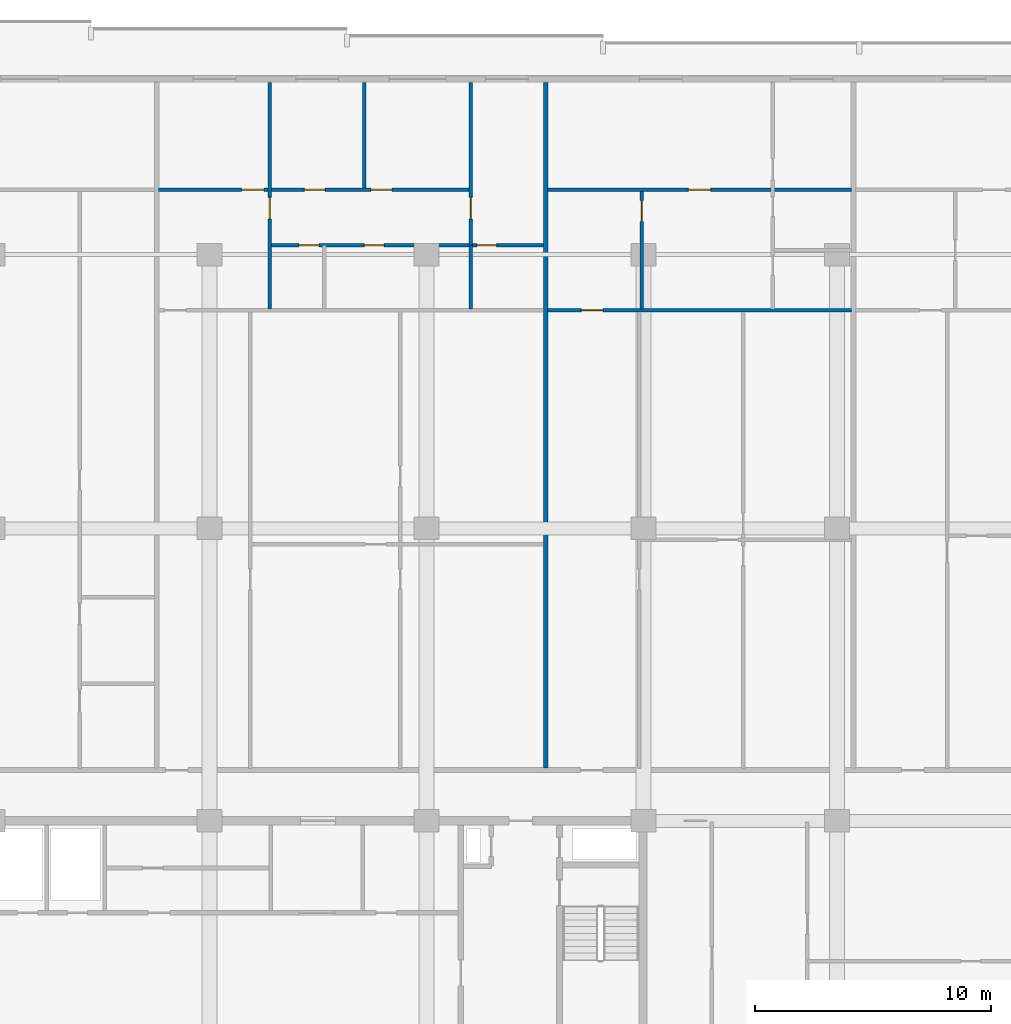
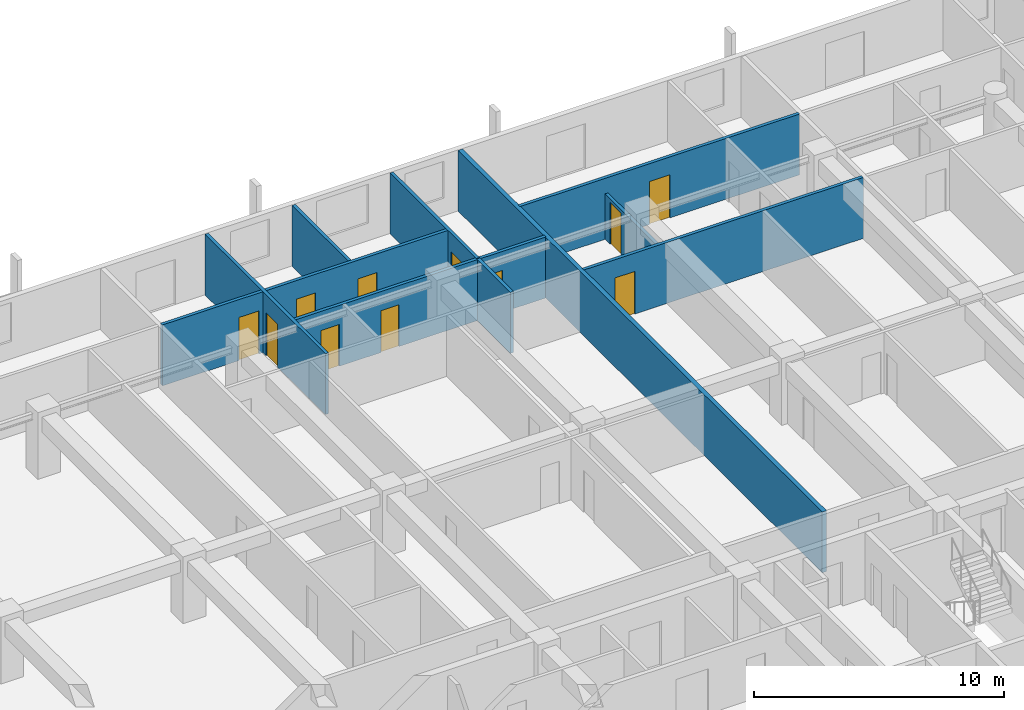
# One storey, part 15 of 23: 11 doors, 10 walls, 11 openings.
"""IFC4 building model written with IfcOpenShell, lengths in metres."""

import ifcopenshell
import ifcopenshell.guid

model = None  # the IFC model being written
_history = None  # IfcOwnerHistory: only IFC2X3 demands one
_inside = {}  # id of a spatial element -> (the spatial element, [elements in it])
_under = {}  # id of a project, library or spatial element -> (it, [spatial elements below it])
_declared = {}  # id of a project -> (the project, [libraries it declares])
_typed = {}  # id of a type object -> (the type object, [elements of that type])
_made_of = {}  # id of a material, layer set ... -> (it, [elements and type objects made of it])


def new_model(schema):
    """Start an empty IFC model of exactly this schema.

    Asked for "IFC4X3", IfcOpenShell would pick the latest addendum, in which some entities
    have other attributes; the version numbers below select the first issue.
    IFC2X3 requires an IfcOwnerHistory on every rooted entity: one is made here for all.
    """
    global model, _history
    if schema == "IFC4X3":
        model = ifcopenshell.file(schema_version=(4, 3, 0, 0))
    else:
        model = ifcopenshell.file(schema=schema)
    _inside.clear()
    _under.clear()
    _declared.clear()
    _typed.clear()
    _made_of.clear()
    _history = None
    if model.schema == "IFC2X3":
        org = make("IfcOrganization", Name="unknown")
        user = make(
            "IfcPersonAndOrganization",
            ThePerson=make("IfcPerson", FamilyName="unknown"),
            TheOrganization=org,
        )
        app = make(
            "IfcApplication",
            ApplicationDeveloper=org,
            Version="unknown",
            ApplicationFullName="unknown",
            ApplicationIdentifier="unknown",
        )
        _history = make(
            "IfcOwnerHistory",
            OwningUser=user,
            OwningApplication=app,
            ChangeAction="ADDED",
            CreationDate=0,
        )
    return model


def make(cls, **values):
    """One entity of the class cls with the attributes given. An attribute that is None is left unset."""
    return model.create_entity(
        cls, **{name: value for name, value in values.items() if value is not None}
    )


def rooted(cls, **values):
    """An entity with a GlobalId (a new one), such as an element, a storey or a relation."""
    return make(cls, GlobalId=ifcopenshell.guid.new(), OwnerHistory=_history, **values)


def si_unit(unit_type, name, prefix=None):
    """IfcSIUnit, for example si_unit("LENGTHUNIT", "METRE", prefix="MILLI")."""
    return make("IfcSIUnit", UnitType=unit_type, Prefix=prefix, Name=name)


def assignment(units):
    """IfcUnitAssignment: the units of a project."""
    return None if units is None else make("IfcUnitAssignment", Units=units)


def point(xyz):
    """IfcCartesianPoint."""
    return None if xyz is None else make("IfcCartesianPoint", Coordinates=xyz)


def direction(xyz):
    """IfcDirection."""
    return None if xyz is None else make("IfcDirection", DirectionRatios=xyz)


def frame(location, z_axis=None, x_axis=None):
    """IfcAxis2Placement3D, a coordinate frame: its origin and axes. An axis left out is left unset."""
    return make(
        "IfcAxis2Placement3D",
        Location=point(location),
        Axis=direction(z_axis),
        RefDirection=direction(x_axis),
    )


def frame_2d(location, x_axis=None):
    """IfcAxis2Placement2D, a coordinate frame in the plane: its origin and x axis."""
    return make(
        "IfcAxis2Placement2D", Location=point(location), RefDirection=direction(x_axis)
    )


def origin():
    """The frame at (0, 0, 0) with its axes left unset."""
    return frame((0.0, 0.0, 0.0))


def place(relative_to, where):
    """IfcLocalPlacement: puts the frame where relative to a parent placement (None: the world)."""
    return make(
        "IfcLocalPlacement", PlacementRelTo=relative_to, RelativePlacement=where
    )


def context(
    kind, dimensions, precision=None, world=None, true_north=None, identifier=None
):
    """IfcGeometricRepresentationContext, for example the 3D "Model" context."""
    return make(
        "IfcGeometricRepresentationContext",
        ContextIdentifier=identifier,
        ContextType=kind,
        CoordinateSpaceDimension=dimensions,
        Precision=precision,
        WorldCoordinateSystem=world,
        TrueNorth=true_north,
    )


def subcontext(parent, identifier, kind, view, scale=None):
    """IfcGeometricRepresentationSubContext, for example "Body" below "Model"."""
    return make(
        "IfcGeometricRepresentationSubContext",
        ContextIdentifier=identifier,
        ContextType=kind,
        ParentContext=parent,
        TargetScale=scale,
        TargetView=view,
    )


def project(units=None, contexts=None):
    """IfcProject with its units and contexts."""
    return rooted(
        "IfcProject",
        Name="project",
        RepresentationContexts=contexts,
        UnitsInContext=assignment(units),
    )


def spatial(cls, under=None, at=None, **own):
    """A site, building, storey or space (cls), placed at a placement, below another one or the project."""
    s = rooted(cls, ObjectPlacement=at, **own)
    if under is not None:
        _under.setdefault(under.id(), (under, []))[1].append(s)
    return s


def profile(cls, at=None, kind="AREA", **sizes):
    """A parametric profile (cls). Its sizes go by their IFC names, for example OverallWidth=200.0."""
    return make(cls, ProfileType=kind, Position=at, **sizes)


def rectangle(**sizes):
    """IfcRectangleProfileDef."""
    return profile("IfcRectangleProfileDef", **sizes)


def extrude(swept, where, along, depth):
    """IfcExtrudedAreaSolid: the profile swept, set in the frame where, extruded along a direction by depth."""
    return make(
        "IfcExtrudedAreaSolid",
        SweptArea=swept,
        Position=where,
        ExtrudedDirection=direction(along),
        Depth=depth,
    )


def shape(context_of_items, identifier, shape_type, items):
    """IfcShapeRepresentation: the items that make up one representation, for example the "Body"."""
    return make(
        "IfcShapeRepresentation",
        ContextOfItems=context_of_items,
        RepresentationIdentifier=identifier,
        RepresentationType=shape_type,
        Items=items,
    )


def material(Name=None, Category=None):
    """IfcMaterial."""
    return make("IfcMaterial", Name=Name, Category=Category)


def layer(
    of_material, thickness, ventilated=None, Name=None, Category=None, Priority=None
):
    """IfcMaterialLayer: one layer of a wall or slab, of a material (None: an air gap)."""
    return make(
        "IfcMaterialLayer",
        Material=of_material,
        LayerThickness=thickness,
        IsVentilated=ventilated,
        Name=Name,
        Category=Category,
        Priority=Priority,
    )


def layer_set(layers, Name=None):
    """IfcMaterialLayerSet."""
    return make("IfcMaterialLayerSet", MaterialLayers=layers, LayerSetName=Name)


def made_of(thing, what):
    """Note that an element or type object is made of a material, layer set ...; save() writes the relation."""
    if what is not None:
        _made_of.setdefault(what.id(), (what, []))[1].append(thing)
    return thing


def type_object(cls, material=None, **own):
    """A type object (cls), such as IfcWallType, which elements share."""
    return made_of(rooted(cls, **own), material)


def element(
    cls,
    number,
    at=None,
    inside=None,
    cuts=None,
    type_object=None,
    material=None,
    context=None,
    identifier="Body",
    shape_type=None,
    held_by="IfcProductDefinitionShape",
    body=None,
    shapes=None,
    **own,
):
    """One element of the class cls, such as IfcWall. Its Tag is "e" and its number.

    at: its placement. inside: the storey or other place that contains it. cuts: it is an
    opening in that element (IfcRelVoidsElement). A single representation is given by context,
    identifier, shape_type and body (its items); several are given by shapes. held_by: the class
    of the entity that holds the representations. save() writes the other relations.
    """
    e = rooted(cls, Tag="e%d" % number, ObjectPlacement=at, **own)
    if body is not None:
        shapes = [shape(context, identifier, shape_type, body)]
    if shapes is not None:
        e.Representation = make(held_by, Representations=shapes)
    if inside is not None:
        _inside.setdefault(inside.id(), (inside, []))[1].append(e)
    if cuts is not None:
        rooted(
            "IfcRelVoidsElement", RelatingBuildingElement=cuts, RelatedOpeningElement=e
        )
    if type_object is not None:
        _typed.setdefault(type_object.id(), (type_object, []))[1].append(e)
    return made_of(e, material)


def fill(opening, filler):
    """IfcRelFillsElement: the door or window that sits in an opening."""
    return rooted(
        "IfcRelFillsElement",
        RelatingOpeningElement=opening,
        RelatedBuildingElement=filler,
    )


def aggregate(whole, parts):
    """IfcRelAggregates: a whole, such as a stair, and the parts it consists of."""
    return rooted("IfcRelAggregates", RelatingObject=whole, RelatedObjects=parts)


def save(model, path):
    """Write the relations noted so far, then the file.

    IfcRelAggregates (storeys below a building ...), IfcRelContainedInSpatialStructure (elements
    in a storey), IfcRelDefinesByType, IfcRelAssociatesMaterial and IfcRelDeclares: one each for
    every whole, place, type object, material and project.
    """
    for whole, parts in _under.values():
        aggregate(whole, parts)
    for where, things in _inside.values():
        rooted(
            "IfcRelContainedInSpatialStructure",
            RelatedElements=things,
            RelatingStructure=where,
        )
    for kind, things in _typed.values():
        rooted("IfcRelDefinesByType", RelatedObjects=things, RelatingType=kind)
    for what, things in _made_of.values():
        rooted("IfcRelAssociatesMaterial", RelatedObjects=things, RelatingMaterial=what)
    for by, libraries in _declared.values():
        rooted("IfcRelDeclares", RelatingContext=by, RelatedDefinitions=libraries)
    model.write(path)


model = new_model("IFC4")

# Units and contexts
model_context = context("Model", 3, precision=1e-05, world=origin(), true_north=direction((0.0, 1.0)))
body_context = subcontext(model_context, "Body", "Model", "MODEL_VIEW")
ifc_project = project(units=[si_unit("LENGTHUNIT", "METRE"), si_unit("AREAUNIT", "SQUARE_METRE"), si_unit("VOLUMEUNIT", "CUBIC_METRE"), si_unit("PLANEANGLEUNIT", "RADIAN"), si_unit("MASSUNIT", "GRAM", prefix="KILO")], contexts=[model_context])

# Site, building, storey
site_placement = place(None, origin())
site = spatial("IfcSite", under=ifc_project, at=site_placement, CompositionType="ELEMENT")
building_placement = place(site_placement, origin())
building = spatial("IfcBuilding", under=site, at=building_placement, Name="Korimba Cascade Residences", CompositionType="ELEMENT")
storey_placement = place(building_placement, frame((0.0, 0.0, 72.75)))
storey = spatial("IfcBuildingStorey", under=building, at=storey_placement, Name="L20", CompositionType="ELEMENT", Elevation=72.75)

# Walls
ifc_material_1 = material(Name="Precast concrete C40/50", Category="concrete")
ifc_layer_1 = layer(ifc_material_1, 0.199951171875)
ifc_layer_set_1 = layer_set([ifc_layer_1], Name="Precast concrete C40/50")
wall_type_1 = type_object("IfcWallType", Name="WAL-IT-200", PredefinedType="PARTITIONING", material=ifc_layer_set_1)
wall_1_placement = place(storey_placement, frame((107.94873046875, 69.429931640625, 0.0), z_axis=(0.0, 0.0, 1.0), x_axis=(0.0, 1.0, 0.0)))
element("IfcWall", 1, at=wall_1_placement, inside=storey, type_object=wall_type_1, Name="L20 Partition Wall WAL-L20-T1-DEM-3", PredefinedType="PARTITIONING", context=body_context, shape_type="SweptSolid", body=[
    extrude(rectangle(XDim=29.070068359375, YDim=0.199951171875, at=frame_2d((14.53515625, 0.0))), origin(), (0.0, 0.0, 1.0), 2.969970703125),
])
ifc_material_2 = material(Name="Insulated Acoustic Stud Partition", Category="gypsum")
ifc_layer_2 = layer(ifc_material_2, 0.14990234375)
ifc_layer_set_2 = layer_set([ifc_layer_2], Name="Insulated Acoustic Stud Partition")
wall_type_2 = type_object("IfcWallType", Name="WAL-PART-150", PredefinedType="PARTITIONING", material=ifc_layer_set_2)
wall_2_placement = place(storey_placement, frame((100.265380859375, 94.030029296875, 0.0), z_axis=(0.0, 0.0, 1.0), x_axis=(0.0, 1.0, 0.0)))
element("IfcWall", 2, at=wall_2_placement, inside=storey, type_object=wall_type_2, Name="L20 Partition Wall WAL-L20-T1-U03-VSTD", PredefinedType="PARTITIONING", context=body_context, shape_type="SweptSolid", body=[
    extrude(rectangle(XDim=4.469970703125, YDim=0.14990234375, at=frame_2d((2.23486328125, 0.0))), origin(), (0.0, 0.0, 1.0), 2.969970703125),
])

# Wall, opening, door
wall_3_placement = place(storey_placement, frame((96.2509765625, 88.889892578125, 0.0), z_axis=(0.0, 0.0, 1.0), x_axis=(0.0, 1.0, 0.0)))
wall_3 = element("IfcWall", 3, at=wall_3_placement, inside=storey, type_object=wall_type_2, Name="L20 Partition Wall WAL-L20-T1-U03-V1", PredefinedType="PARTITIONING", context=body_context, shape_type="SweptSolid", body=[
    extrude(rectangle(XDim=9.610107421875, YDim=0.14990234375, at=frame_2d((4.80517578125, 0.0))), origin(), (0.0, 0.0, 1.0), 2.969970703125),
])
opening_1_placement = place(wall_3_placement, frame((3.820068359375, 0.0, 0.0)))
opening_1 = element("IfcOpeningElement", 4, at=opening_1_placement, cuts=wall_3, Name="Opening D-IN1", PredefinedType="OPENING", context=body_context, shape_type="SweptSolid", body=[
    extrude(rectangle(XDim=0.919921875, YDim=2.080078125, at=frame_2d((0.4599609375, 1.0400390625))), frame((0.0, 0.0849609375, 0.0), z_axis=(0.0, -1.0, 0.0), x_axis=(1.0, 0.0, 0.0)), (0.0, 0.0, 1.0), 0.169921875),
])
ifc_material_3 = material(Name="Acoustic Timber Living Door", Category="wood")
door_type_1 = type_object("IfcDoorType", Name="DR-INT-920", OperationType="NOTDEFINED", PredefinedType="DOOR", material=ifc_material_3)
door_1_placement = place(opening_1_placement, origin())
door_1 = element("IfcDoor", 5, at=door_1_placement, inside=storey, type_object=door_type_1, Name="L20-T1-U03 Hallway Door", OperationType="SINGLE_SWING_LEFT", OverallHeight=2.080078125, OverallWidth=0.919921875, PredefinedType="DOOR", context=body_context, shape_type="SweptSolid", body=[
    extrude(rectangle(XDim=0.919921875, YDim=2.080078125, at=frame_2d((0.4599609375, 1.0400390625))), frame((0.0, 0.02490234375, 0.0), z_axis=(0.0, -1.0, 0.0), x_axis=(1.0, 0.0, 0.0)), (0.0, 0.0, 1.0), 0.050048828125),
])
fill(opening_1, door_1)

# Wall
wall_4_placement = place(storey_placement, frame((104.780029296875, 88.889892578125, 0.0), z_axis=(0.0, 0.0, 1.0), x_axis=(0.0, 1.0, 0.0)))
element("IfcWall", 6, at=wall_4_placement, inside=storey, type_object=wall_type_2, Name="L20 Partition Wall WAL-L20-T1-U03-VBATH", PredefinedType="PARTITIONING", context=body_context, shape_type="SweptSolid", body=[
    extrude(rectangle(XDim=2.690185546875, YDim=0.14990234375, at=frame_2d((1.34521484375, 0.0))), origin(), (0.0, 0.0, 1.0), 2.969970703125),
])

# Wall, opening, door
wall_5_placement = place(storey_placement, frame((104.780029296875, 91.6201171875, 0.0), z_axis=(0.0, 0.0, 1.0), x_axis=(0.0, 1.0, 0.0)))
wall_5 = element("IfcWall", 7, at=wall_5_placement, inside=storey, type_object=wall_type_2, Name="L20 Partition Wall WAL-L20-T1-U03-V2FULL", PredefinedType="PARTITIONING", context=body_context, shape_type="SweptSolid", body=[
    extrude(rectangle(XDim=6.8798828125, YDim=0.14990234375, at=frame_2d((3.43994140625, 0.0))), origin(), (0.0, 0.0, 1.0), 2.969970703125),
])
opening_2_placement = place(wall_5_placement, frame((1.090087890625, 0.0, 0.0)))
opening_2 = element("IfcOpeningElement", 8, at=opening_2_placement, cuts=wall_5, Name="Opening D-IN1", PredefinedType="OPENING", context=body_context, shape_type="SweptSolid", body=[
    extrude(rectangle(XDim=0.919921875, YDim=2.080078125, at=frame_2d((0.4599609375, 1.0400390625))), frame((0.0, 0.0849609375, 0.0), z_axis=(0.0, -1.0, 0.0), x_axis=(1.0, 0.0, 0.0)), (0.0, 0.0, 1.0), 0.169921875),
])
door_2_placement = place(opening_2_placement, origin())
door_2 = element("IfcDoor", 9, at=door_2_placement, inside=storey, type_object=door_type_1, Name="L20-T1-U03 Master Bedroom Door", OperationType="SINGLE_SWING_RIGHT", OverallHeight=2.080078125, OverallWidth=0.919921875, PredefinedType="DOOR", context=body_context, shape_type="SweptSolid", body=[
    extrude(rectangle(XDim=0.919921875, YDim=2.080078125, at=frame_2d((0.4599609375, 1.0400390625))), frame((0.0, 0.02490234375, 0.0), z_axis=(0.0, -1.0, 0.0), x_axis=(1.0, 0.0, 0.0)), (0.0, 0.0, 1.0), 0.050048828125),
])
fill(opening_2, door_2)

# Wall, openings, doors
wall_6_placement = place(storey_placement, frame((96.291015625, 91.60009765625, 0.0), z_axis=(0.0, 0.0, 1.0), x_axis=(1.0, 0.0, 0.0)))
wall_6 = element("IfcWall", 10, at=wall_6_placement, inside=storey, type_object=wall_type_2, Name="L20 Partition Wall WAL-L20-T1-U03-HWALL", PredefinedType="PARTITIONING", context=body_context, shape_type="SweptSolid", body=[
    extrude(rectangle(XDim=11.57763671875, YDim=0.14990234375, at=frame_2d((5.788818359375, 0.0))), origin(), (0.0, 0.0, 1.0), 2.969970703125),
])
opening_3_placement = place(wall_6_placement, frame((1.2099609375, 0.0, 0.0)))
opening_3 = element("IfcOpeningElement", 11, at=opening_3_placement, cuts=wall_6, Name="Opening D-BT1", PredefinedType="OPENING", context=body_context, shape_type="SweptSolid", body=[
    extrude(rectangle(XDim=0.840087890625, YDim=2.0400390625, at=frame_2d((0.419921875, 1.02001953125))), frame((0.0, 0.0849609375, 0.0), z_axis=(0.0, -1.0, 0.0), x_axis=(1.0, 0.0, 0.0)), (0.0, 0.0, 1.0), 0.169921875),
])
opening_4_placement = place(wall_6_placement, frame((3.9716796875, 0.0, 0.0)))
opening_4 = element("IfcOpeningElement", 12, at=opening_4_placement, cuts=wall_6, Name="Opening D-BT1", PredefinedType="OPENING", context=body_context, shape_type="SweptSolid", body=[
    extrude(rectangle(XDim=0.840087890625, YDim=2.0400390625, at=frame_2d((0.419921875, 1.02001953125))), frame((0.0, 0.0849609375, 0.0), z_axis=(0.0, -1.0, 0.0), x_axis=(1.0, 0.0, 0.0)), (0.0, 0.0, 1.0), 0.169921875),
])
opening_5_placement = place(wall_6_placement, frame((8.739013671875, 0.0, 0.0)))
opening_5 = element("IfcOpeningElement", 13, at=opening_5_placement, cuts=wall_6, Name="Opening D-BT1", PredefinedType="OPENING", context=body_context, shape_type="SweptSolid", body=[
    extrude(rectangle(XDim=0.840087890625, YDim=2.0400390625, at=frame_2d((0.419921875, 1.02001953125))), frame((0.0, 0.0849609375, 0.0), z_axis=(0.0, -1.0, 0.0), x_axis=(1.0, 0.0, 0.0)), (0.0, 0.0, 1.0), 0.169921875),
])
ifc_material_4 = material(Name="Moisture-Resistant Bathroom Timber Door", Category="wood")
door_type_2 = type_object("IfcDoorType", Name="DR-INT-850", OperationType="NOTDEFINED", PredefinedType="DOOR", material=ifc_material_4)
door_3_placement = place(opening_3_placement, origin())
door_3 = element("IfcDoor", 14, at=door_3_placement, inside=storey, type_object=door_type_2, Name="L20-T1-U03 Family Bathroom Door", OperationType="SINGLE_SWING_LEFT", OverallHeight=2.0400390625, OverallWidth=0.840087890625, PredefinedType="DOOR", context=body_context, shape_type="SweptSolid", body=[
    extrude(rectangle(XDim=0.840087890625, YDim=2.0400390625, at=frame_2d((0.419921875, 1.02001953125))), frame((0.0, 0.02490234375, 0.0), z_axis=(0.0, -1.0, 0.0), x_axis=(1.0, 0.0, 0.0)), (0.0, 0.0, 1.0), 0.050048828125),
])
fill(opening_3, door_3)
door_4_placement = place(opening_4_placement, origin())
door_4 = element("IfcDoor", 15, at=door_4_placement, inside=storey, type_object=door_type_2, Name="L20-T1-U03 Dressing Room Door", OperationType="SINGLE_SWING_RIGHT", OverallHeight=2.0400390625, OverallWidth=0.840087890625, PredefinedType="DOOR", context=body_context, shape_type="SweptSolid", body=[
    extrude(rectangle(XDim=0.840087890625, YDim=2.0400390625, at=frame_2d((0.419921875, 1.02001953125))), frame((0.0, 0.02490234375, 0.0), z_axis=(0.0, -1.0, 0.0), x_axis=(1.0, 0.0, 0.0)), (0.0, 0.0, 1.0), 0.050048828125),
])
fill(opening_4, door_4)
door_5_placement = place(opening_5_placement, origin())
door_5 = element("IfcDoor", 16, at=door_5_placement, inside=storey, type_object=door_type_2, Name="L20-T1-U03 En-Suite Door", OperationType="SINGLE_SWING_LEFT", OverallHeight=2.0400390625, OverallWidth=0.840087890625, PredefinedType="DOOR", context=body_context, shape_type="SweptSolid", body=[
    extrude(rectangle(XDim=0.840087890625, YDim=2.0400390625, at=frame_2d((0.419921875, 1.02001953125))), frame((0.0, 0.02490234375, 0.0), z_axis=(0.0, -1.0, 0.0), x_axis=(1.0, 0.0, 0.0)), (0.0, 0.0, 1.0), 0.050048828125),
])
fill(opening_5, door_5)

wall_7_placement = place(storey_placement, frame((91.541015625, 93.949951171875, 0.0), z_axis=(0.0, 0.0, 1.0), x_axis=(1.0, 0.0, 0.0)))
wall_7 = element("IfcWall", 17, at=wall_7_placement, inside=storey, type_object=wall_type_2, Name="L20 Partition Wall WAL-L20-T1-U03-HZ", PredefinedType="PARTITIONING", context=body_context, shape_type="SweptSolid", body=[
    extrude(rectangle(XDim=13.239013671875, YDim=0.14990234375, at=frame_2d((6.61962890625, 0.0))), origin(), (0.0, 0.0, 1.0), 2.969970703125),
])
opening_6_placement = place(wall_7_placement, frame((3.52001953125, 0.0, 0.0)))
opening_6 = element("IfcOpeningElement", 18, at=opening_6_placement, cuts=wall_7, Name="Opening D-IN0", PredefinedType="OPENING", context=body_context, shape_type="SweptSolid", body=[
    extrude(rectangle(XDim=0.93994140625, YDim=2.10009765625, at=frame_2d((0.469970703125, 1.050048828125))), frame((0.0, 0.0849609375, 0.0), z_axis=(0.0, -1.0, 0.0), x_axis=(1.0, 0.0, 0.0)), (0.0, 0.0, 1.0), 0.169921875),
])
opening_7_placement = place(wall_7_placement, frame((6.1796875, 0.0, 0.0)))
opening_7 = element("IfcOpeningElement", 19, at=opening_7_placement, cuts=wall_7, Name="Opening D-IN2", PredefinedType="OPENING", context=body_context, shape_type="SweptSolid", body=[
    extrude(rectangle(XDim=0.8798828125, YDim=2.06005859375, at=frame_2d((0.43994140625, 1.030029296875))), frame((0.0, 0.0849609375, 0.0), z_axis=(0.0, -1.0, 0.0), x_axis=(1.0, 0.0, 0.0)), (0.0, 0.0, 1.0), 0.169921875),
])
opening_8_placement = place(wall_7_placement, frame((9.008544921875, 0.0, 0.0)))
opening_8 = element("IfcOpeningElement", 20, at=opening_8_placement, cuts=wall_7, Name="Opening D-IN2", PredefinedType="OPENING", context=body_context, shape_type="SweptSolid", body=[
    extrude(rectangle(XDim=0.8798828125, YDim=2.06005859375, at=frame_2d((0.43994140625, 1.030029296875))), frame((0.0, 0.0849609375, 0.0), z_axis=(0.0, -1.0, 0.0), x_axis=(1.0, 0.0, 0.0)), (0.0, 0.0, 1.0), 0.169921875),
])
ifc_material_5 = material(Name="Acoustic Timber Bedroom Door", Category="wood")
door_type_3 = type_object("IfcDoorType", Name="DR-INT-880", OperationType="NOTDEFINED", PredefinedType="DOOR", material=ifc_material_5)
door_6_placement = place(opening_7_placement, origin())
door_6 = element("IfcDoor", 21, at=door_6_placement, inside=storey, type_object=door_type_3, Name="L20-T1-U03 Bedroom 2 Door", OperationType="SINGLE_SWING_RIGHT", OverallHeight=2.06005859375, OverallWidth=0.8798828125, PredefinedType="DOOR", context=body_context, shape_type="SweptSolid", body=[
    extrude(rectangle(XDim=0.8798828125, YDim=2.06005859375, at=frame_2d((0.43994140625, 1.030029296875))), frame((0.0, 0.02490234375, 0.0), z_axis=(0.0, -1.0, 0.0), x_axis=(1.0, 0.0, 0.0)), (0.0, 0.0, 1.0), 0.050048828125),
])
fill(opening_7, door_6)
door_7_placement = place(opening_8_placement, origin())
door_7 = element("IfcDoor", 22, at=door_7_placement, inside=storey, type_object=door_type_3, Name="L20-T1-U03 Study Door", OperationType="SINGLE_SWING_LEFT", OverallHeight=2.06005859375, OverallWidth=0.8798828125, PredefinedType="DOOR", context=body_context, shape_type="SweptSolid", body=[
    extrude(rectangle(XDim=0.8798828125, YDim=2.06005859375, at=frame_2d((0.43994140625, 1.030029296875))), frame((0.0, 0.02490234375, 0.0), z_axis=(0.0, -1.0, 0.0), x_axis=(1.0, 0.0, 0.0)), (0.0, 0.0, 1.0), 0.050048828125),
])
fill(opening_8, door_7)
ifc_material_6 = material(Name="Acoustic Timber Living Archway Door", Category="wood")
door_type_4 = type_object("IfcDoorType", Name="DR-INT-950", OperationType="NOTDEFINED", PredefinedType="DOOR", material=ifc_material_6)
door_8_placement = place(opening_6_placement, origin())
door_8 = element("IfcDoor", 23, at=door_8_placement, inside=storey, type_object=door_type_4, Name="L20-T1-U03 Living Room Door", OperationType="SINGLE_SWING_LEFT", OverallHeight=2.10009765625, OverallWidth=0.93994140625, PredefinedType="DOOR", context=body_context, shape_type="SweptSolid", body=[
    extrude(rectangle(XDim=0.93994140625, YDim=2.10009765625, at=frame_2d((0.469970703125, 1.050048828125))), frame((0.0, 0.02490234375, 0.0), z_axis=(0.0, -1.0, 0.0), x_axis=(1.0, 0.0, 0.0)), (0.0, 0.0, 1.0), 0.050048828125),
])
fill(opening_6, door_8)

# Wall, opening, door
wall_8_placement = place(storey_placement, frame((112.018798828125, 88.889892578125, 0.0), z_axis=(0.0, 0.0, 1.0), x_axis=(0.0, 1.0, 0.0)))
wall_8 = element("IfcWall", 24, at=wall_8_placement, inside=storey, type_object=wall_type_2, Name="L20 Partition Wall WAL-L20-T1-U04-VDIN", PredefinedType="PARTITIONING", context=body_context, shape_type="SweptSolid", body=[
    extrude(rectangle(XDim=5.0, YDim=0.14990234375, at=frame_2d((2.5, 0.0))), origin(), (0.0, 0.0, 1.0), 2.219970703125),
])
opening_9_placement = place(wall_8_placement, frame((3.719970703125, 0.0, 0.0)))
opening_9 = element("IfcOpeningElement", 25, at=opening_9_placement, cuts=wall_8, Name="Opening D-IN2", PredefinedType="OPENING", context=body_context, shape_type="SweptSolid", body=[
    extrude(rectangle(XDim=0.8798828125, YDim=2.06005859375, at=frame_2d((0.43994140625, 1.030029296875))), frame((0.0, 0.0849609375, 0.0), z_axis=(0.0, -1.0, 0.0), x_axis=(1.0, 0.0, 0.0)), (0.0, 0.0, 1.0), 0.169921875),
])
door_9_placement = place(opening_9_placement, origin())
door_9 = element("IfcDoor", 26, at=door_9_placement, inside=storey, type_object=door_type_3, Name="L20-T1-U04 Dining Room Door", OperationType="SINGLE_SWING_RIGHT", OverallHeight=2.06005859375, OverallWidth=0.8798828125, PredefinedType="DOOR", context=body_context, shape_type="SweptSolid", body=[
    extrude(rectangle(XDim=0.8798828125, YDim=2.06005859375, at=frame_2d((0.43994140625, 1.030029296875))), frame((0.0, 0.02490234375, 0.0), z_axis=(0.0, -1.0, 0.0), x_axis=(1.0, 0.0, 0.0)), (0.0, 0.0, 1.0), 0.050048828125),
])
fill(opening_9, door_9)

wall_9_placement = place(storey_placement, frame((108.02880859375, 88.85009765625, 0.0), z_axis=(0.0, 0.0, 1.0), x_axis=(1.0, 0.0, 0.0)))
wall_9 = element("IfcWall", 27, at=wall_9_placement, inside=storey, type_object=wall_type_2, Name="L20 Partition Wall WAL-L20-T1-U04-MW", PredefinedType="PARTITIONING", context=body_context, shape_type="SweptSolid", body=[
    extrude(rectangle(XDim=12.888671875, YDim=0.14990234375, at=frame_2d((6.4443359375, 0.0))), origin(), (0.0, 0.0, 1.0), 2.969970703125),
])
opening_10_placement = place(wall_9_placement, frame((1.435546875, 0.0, 0.0)))
opening_10 = element("IfcOpeningElement", 28, at=opening_10_placement, cuts=wall_9, Name="Opening D-IN1", PredefinedType="OPENING", context=body_context, shape_type="SweptSolid", body=[
    extrude(rectangle(XDim=0.919921875, YDim=2.080078125, at=frame_2d((0.4599609375, 1.0400390625))), frame((0.0, 0.0849609375, 0.0), z_axis=(0.0, -1.0, 0.0), x_axis=(1.0, 0.0, 0.0)), (0.0, 0.0, 1.0), 0.169921875),
])
door_10_placement = place(opening_10_placement, origin())
door_10 = element("IfcDoor", 29, at=door_10_placement, inside=storey, type_object=door_type_1, Name="L20-T1-U04 Kitchen Archway Door", OperationType="SINGLE_SWING_RIGHT", OverallHeight=2.080078125, OverallWidth=0.919921875, PredefinedType="DOOR", context=body_context, shape_type="SweptSolid", body=[
    extrude(rectangle(XDim=0.919921875, YDim=2.080078125, at=frame_2d((0.4599609375, 1.0400390625))), frame((0.0, 0.02490234375, 0.0), z_axis=(0.0, -1.0, 0.0), x_axis=(1.0, 0.0, 0.0)), (0.0, 0.0, 1.0), 0.050048828125),
])
fill(opening_10, door_10)

wall_10_placement = place(storey_placement, frame((108.02880859375, 93.949951171875, 0.0), z_axis=(0.0, 0.0, 1.0), x_axis=(1.0, 0.0, 0.0)))
wall_10 = element("IfcWall", 30, at=wall_10_placement, inside=storey, type_object=wall_type_2, Name="L20 Partition Wall WAL-L20-T1-U04-HZ", PredefinedType="PARTITIONING", context=body_context, shape_type="SweptSolid", body=[
    extrude(rectangle(XDim=12.888671875, YDim=0.14990234375, at=frame_2d((6.4443359375, 0.0))), origin(), (0.0, 0.0, 1.0), 2.969970703125),
])
opening_11_placement = place(wall_10_placement, frame((5.974365234375, 0.0, 0.0)))
opening_11 = element("IfcOpeningElement", 31, at=opening_11_placement, cuts=wall_10, Name="Opening D-IN0", PredefinedType="OPENING", context=body_context, shape_type="SweptSolid", body=[
    extrude(rectangle(XDim=0.93994140625, YDim=2.10009765625, at=frame_2d((0.469970703125, 1.050048828125))), frame((0.0, 0.0849609375, 0.0), z_axis=(0.0, -1.0, 0.0), x_axis=(1.0, 0.0, 0.0)), (0.0, 0.0, 1.0), 0.169921875),
])
door_11_placement = place(opening_11_placement, origin())
door_11 = element("IfcDoor", 32, at=door_11_placement, inside=storey, type_object=door_type_4, Name="L20-T1-U04 Living Archway Door", OperationType="SINGLE_SWING_LEFT", OverallHeight=2.10009765625, OverallWidth=0.93994140625, PredefinedType="DOOR", context=body_context, shape_type="SweptSolid", body=[
    extrude(rectangle(XDim=0.93994140625, YDim=2.10009765625, at=frame_2d((0.469970703125, 1.050048828125))), frame((0.0, 0.02490234375, 0.0), z_axis=(0.0, -1.0, 0.0), x_axis=(1.0, 0.0, 0.0)), (0.0, 0.0, 1.0), 0.050048828125),
])
fill(opening_11, door_11)

save(model, "model.ifc")
